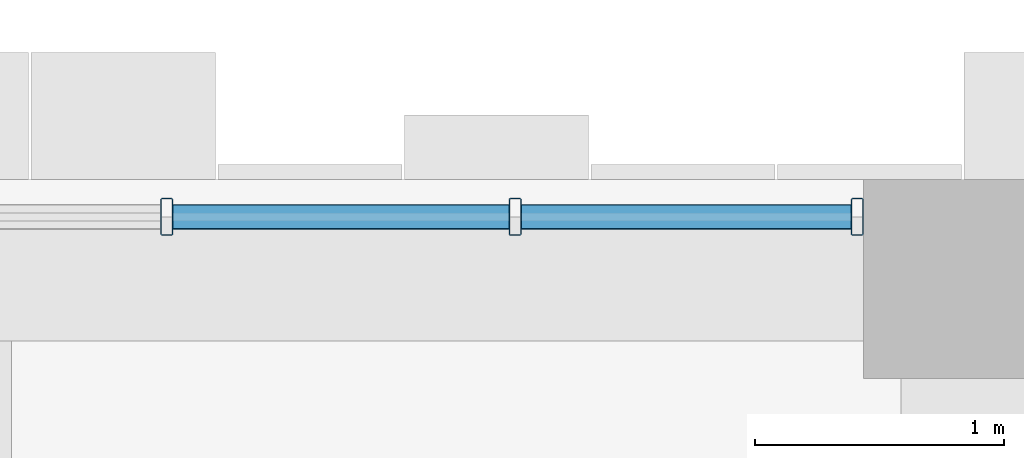
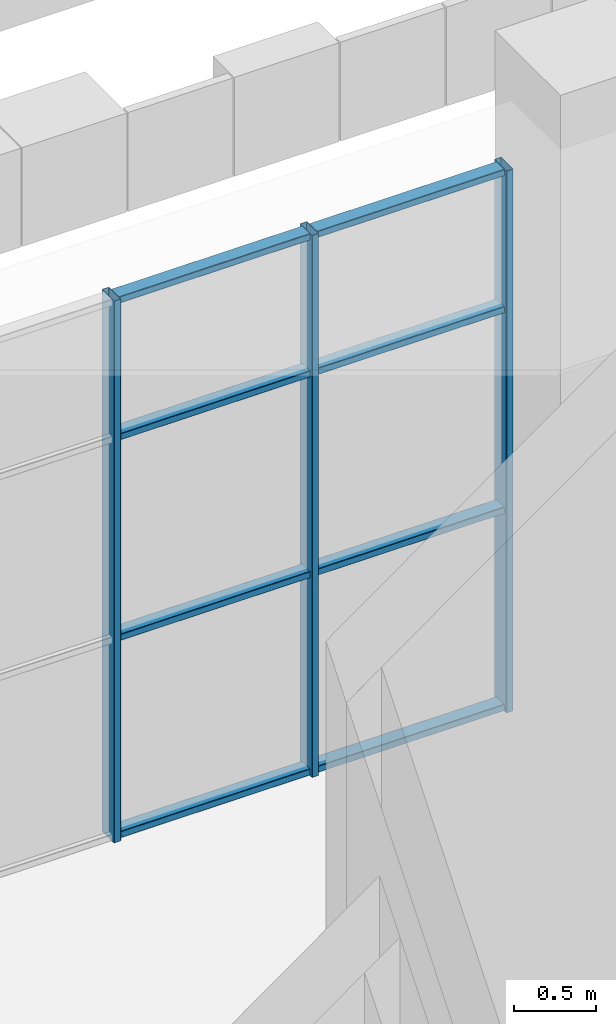
# One storey, part 5 of 125: 11 members, 1 element without a shape of its own.
"""IFC4 building model written with IfcOpenShell, lengths in metres."""

import ifcopenshell
import ifcopenshell.guid

model = None  # the IFC model being written
_history = None  # IfcOwnerHistory: only IFC2X3 demands one
_inside = {}  # id of a spatial element -> (the spatial element, [elements in it])
_under = {}  # id of a project, library or spatial element -> (it, [spatial elements below it])
_declared = {}  # id of a project -> (the project, [libraries it declares])
_typed = {}  # id of a type object -> (the type object, [elements of that type])
_made_of = {}  # id of a material, layer set ... -> (it, [elements and type objects made of it])


def new_model(schema):
    """Start an empty IFC model of exactly this schema.

    Asked for "IFC4X3", IfcOpenShell would pick the latest addendum, in which some entities
    have other attributes; the version numbers below select the first issue.
    IFC2X3 requires an IfcOwnerHistory on every rooted entity: one is made here for all.
    """
    global model, _history
    if schema == "IFC4X3":
        model = ifcopenshell.file(schema_version=(4, 3, 0, 0))
    else:
        model = ifcopenshell.file(schema=schema)
    _inside.clear()
    _under.clear()
    _declared.clear()
    _typed.clear()
    _made_of.clear()
    _history = None
    if model.schema == "IFC2X3":
        org = make("IfcOrganization", Name="unknown")
        user = make(
            "IfcPersonAndOrganization",
            ThePerson=make("IfcPerson", FamilyName="unknown"),
            TheOrganization=org,
        )
        app = make(
            "IfcApplication",
            ApplicationDeveloper=org,
            Version="unknown",
            ApplicationFullName="unknown",
            ApplicationIdentifier="unknown",
        )
        _history = make(
            "IfcOwnerHistory",
            OwningUser=user,
            OwningApplication=app,
            ChangeAction="ADDED",
            CreationDate=0,
        )
    return model


def make(cls, **values):
    """One entity of the class cls with the attributes given. An attribute that is None is left unset."""
    return model.create_entity(
        cls, **{name: value for name, value in values.items() if value is not None}
    )


def rooted(cls, **values):
    """An entity with a GlobalId (a new one), such as an element, a storey or a relation."""
    return make(cls, GlobalId=ifcopenshell.guid.new(), OwnerHistory=_history, **values)


def si_unit(unit_type, name, prefix=None):
    """IfcSIUnit, for example si_unit("LENGTHUNIT", "METRE", prefix="MILLI")."""
    return make("IfcSIUnit", UnitType=unit_type, Prefix=prefix, Name=name)


def assignment(units):
    """IfcUnitAssignment: the units of a project."""
    return None if units is None else make("IfcUnitAssignment", Units=units)


def point(xyz):
    """IfcCartesianPoint."""
    return None if xyz is None else make("IfcCartesianPoint", Coordinates=xyz)


def direction(xyz):
    """IfcDirection."""
    return None if xyz is None else make("IfcDirection", DirectionRatios=xyz)


def frame(location, z_axis=None, x_axis=None):
    """IfcAxis2Placement3D, a coordinate frame: its origin and axes. An axis left out is left unset."""
    return make(
        "IfcAxis2Placement3D",
        Location=point(location),
        Axis=direction(z_axis),
        RefDirection=direction(x_axis),
    )


def frame_2d(location, x_axis=None):
    """IfcAxis2Placement2D, a coordinate frame in the plane: its origin and x axis."""
    return make(
        "IfcAxis2Placement2D", Location=point(location), RefDirection=direction(x_axis)
    )


def origin():
    """The frame at (0, 0, 0) with its axes left unset."""
    return frame((0.0, 0.0, 0.0))


def origin_2d():
    """The frame at (0, 0) in the plane with its x axis left unset."""
    return frame_2d((0.0, 0.0))


def place(relative_to, where):
    """IfcLocalPlacement: puts the frame where relative to a parent placement (None: the world)."""
    return make(
        "IfcLocalPlacement", PlacementRelTo=relative_to, RelativePlacement=where
    )


def context(
    kind, dimensions, precision=None, world=None, true_north=None, identifier=None
):
    """IfcGeometricRepresentationContext, for example the 3D "Model" context."""
    return make(
        "IfcGeometricRepresentationContext",
        ContextIdentifier=identifier,
        ContextType=kind,
        CoordinateSpaceDimension=dimensions,
        Precision=precision,
        WorldCoordinateSystem=world,
        TrueNorth=true_north,
    )


def subcontext(parent, identifier, kind, view, scale=None):
    """IfcGeometricRepresentationSubContext, for example "Body" below "Model"."""
    return make(
        "IfcGeometricRepresentationSubContext",
        ContextIdentifier=identifier,
        ContextType=kind,
        ParentContext=parent,
        TargetScale=scale,
        TargetView=view,
    )


def project(units=None, contexts=None):
    """IfcProject with its units and contexts."""
    return rooted(
        "IfcProject",
        Name="project",
        RepresentationContexts=contexts,
        UnitsInContext=assignment(units),
    )


def spatial(cls, under=None, at=None, **own):
    """A site, building, storey or space (cls), placed at a placement, below another one or the project."""
    s = rooted(cls, ObjectPlacement=at, **own)
    if under is not None:
        _under.setdefault(under.id(), (under, []))[1].append(s)
    return s


def profile(cls, at=None, kind="AREA", **sizes):
    """A parametric profile (cls). Its sizes go by their IFC names, for example OverallWidth=200.0."""
    return make(cls, ProfileType=kind, Position=at, **sizes)


def hollow_rectangle(**sizes):
    """IfcRectangleHollowProfileDef."""
    return profile("IfcRectangleHollowProfileDef", **sizes)


def extrude(swept, where, along, depth):
    """IfcExtrudedAreaSolid: the profile swept, set in the frame where, extruded along a direction by depth."""
    return make(
        "IfcExtrudedAreaSolid",
        SweptArea=swept,
        Position=where,
        ExtrudedDirection=direction(along),
        Depth=depth,
    )


def shape(context_of_items, identifier, shape_type, items):
    """IfcShapeRepresentation: the items that make up one representation, for example the "Body"."""
    return make(
        "IfcShapeRepresentation",
        ContextOfItems=context_of_items,
        RepresentationIdentifier=identifier,
        RepresentationType=shape_type,
        Items=items,
    )


def material(Name=None, Category=None):
    """IfcMaterial."""
    return make("IfcMaterial", Name=Name, Category=Category)


def material_profile(
    of_material, cross_section, Name=None, Category=None, Priority=None
):
    """IfcMaterialProfile: a cross section and its material."""
    return make(
        "IfcMaterialProfile",
        Name=Name,
        Material=of_material,
        Profile=cross_section,
        Priority=Priority,
        Category=Category,
    )


def profile_set(profiles, Name=None, composite=None):
    """IfcMaterialProfileSet."""
    return make(
        "IfcMaterialProfileSet",
        Name=Name,
        MaterialProfiles=profiles,
        CompositeProfile=composite,
    )


def made_of(thing, what):
    """Note that an element or type object is made of a material, layer set ...; save() writes the relation."""
    if what is not None:
        _made_of.setdefault(what.id(), (what, []))[1].append(thing)
    return thing


def type_object(cls, material=None, **own):
    """A type object (cls), such as IfcWallType, which elements share."""
    return made_of(rooted(cls, **own), material)


def element(
    cls,
    number,
    at=None,
    inside=None,
    cuts=None,
    type_object=None,
    material=None,
    context=None,
    identifier="Body",
    shape_type=None,
    held_by="IfcProductDefinitionShape",
    body=None,
    shapes=None,
    **own,
):
    """One element of the class cls, such as IfcWall. Its Tag is "e" and its number.

    at: its placement. inside: the storey or other place that contains it. cuts: it is an
    opening in that element (IfcRelVoidsElement). A single representation is given by context,
    identifier, shape_type and body (its items); several are given by shapes. held_by: the class
    of the entity that holds the representations. save() writes the other relations.
    """
    e = rooted(cls, Tag="e%d" % number, ObjectPlacement=at, **own)
    if body is not None:
        shapes = [shape(context, identifier, shape_type, body)]
    if shapes is not None:
        e.Representation = make(held_by, Representations=shapes)
    if inside is not None:
        _inside.setdefault(inside.id(), (inside, []))[1].append(e)
    if cuts is not None:
        rooted(
            "IfcRelVoidsElement", RelatingBuildingElement=cuts, RelatedOpeningElement=e
        )
    if type_object is not None:
        _typed.setdefault(type_object.id(), (type_object, []))[1].append(e)
    return made_of(e, material)


def aggregate(whole, parts):
    """IfcRelAggregates: a whole, such as a stair, and the parts it consists of."""
    return rooted("IfcRelAggregates", RelatingObject=whole, RelatedObjects=parts)


def save(model, path):
    """Write the relations noted so far, then the file.

    IfcRelAggregates (storeys below a building ...), IfcRelContainedInSpatialStructure (elements
    in a storey), IfcRelDefinesByType, IfcRelAssociatesMaterial and IfcRelDeclares: one each for
    every whole, place, type object, material and project.
    """
    for whole, parts in _under.values():
        aggregate(whole, parts)
    for where, things in _inside.values():
        rooted(
            "IfcRelContainedInSpatialStructure",
            RelatedElements=things,
            RelatingStructure=where,
        )
    for kind, things in _typed.values():
        rooted("IfcRelDefinesByType", RelatedObjects=things, RelatingType=kind)
    for what, things in _made_of.values():
        rooted("IfcRelAssociatesMaterial", RelatedObjects=things, RelatingMaterial=what)
    for by, libraries in _declared.values():
        rooted("IfcRelDeclares", RelatingContext=by, RelatedDefinitions=libraries)
    model.write(path)


model = new_model("IFC4")

# Units and contexts
model_context = context("Model", 3, precision=1e-05, world=origin(), true_north=direction((0.0, 1.0)))
body_context = subcontext(model_context, "Body", "Model", "MODEL_VIEW")
ifc_project = project(units=[si_unit("LENGTHUNIT", "METRE"), si_unit("AREAUNIT", "SQUARE_METRE"), si_unit("VOLUMEUNIT", "CUBIC_METRE"), si_unit("PLANEANGLEUNIT", "RADIAN"), si_unit("MASSUNIT", "GRAM", prefix="KILO")], contexts=[model_context])

# Site, building, storey
site_placement = place(None, origin())
site = spatial("IfcSite", under=ifc_project, at=site_placement, CompositionType="ELEMENT")
building_placement = place(site_placement, origin())
building = spatial("IfcBuilding", under=site, at=building_placement, Name="Sun Court Science Centre", CompositionType="ELEMENT")
storey_placement = place(building_placement, frame((0.0, 0.0, 6.0)))
storey = spatial("IfcBuildingStorey", under=building, at=storey_placement, Name="L01", CompositionType="ELEMENT", Elevation=6.0)

# Curtain wall, members
ifc_material_1 = material(Name="Aluminium EN AW-6063 T6", Category="aluminium")
curtain_wall_type = type_object("IfcCurtainWallType", Name="Court gallery curtain wall 1500", PredefinedType="NOTDEFINED", material=ifc_material_1)
curtain_wall_placement = place(storey_placement, origin())
curtain_wall = element("IfcCurtainWall", 1, at=curtain_wall_placement, inside=storey, type_object=curtain_wall_type, Name="Curtain wall V2 N L01 01", PredefinedType="NOTDEFINED")
ifc_material_2 = material(Name="Aluminium EN AW-6063 T6", Category="aluminium")
ifc_material_profile_1 = material_profile(ifc_material_2, hollow_rectangle(XDim=0.050048828125, YDim=0.14990234375, WallThickness=0.00390625, InnerFilletRadius=0.00390625, OuterFilletRadius=0.006103515625, at=origin_2d()), Name="AL 50x150x4")
ifc_profile_set_1 = profile_set([ifc_material_profile_1], Name="Aluminium EN AW-6063 T6")
member_type_1 = type_object("IfcMemberType", Name="Curtain wall mullion AL 50x150", PredefinedType="MULLION", material=ifc_profile_set_1)
member_1_placement = place(storey_placement, frame((32.800048828125, 27.85009765625, 0.0), z_axis=(0.0, 0.0, 1.0), x_axis=(1.0, 0.0, 0.0)))
member_1 = element("IfcMember", 2, at=member_1_placement, type_object=member_type_1, Name="CW5-03 mullion 3", PredefinedType="MULLION", context=body_context, shape_type="SweptSolid", body=[
    extrude(hollow_rectangle(XDim=0.050048828125, YDim=0.14990234375, WallThickness=0.00390625, InnerFilletRadius=0.00390625, OuterFilletRadius=0.006103515625, at=origin_2d()), origin(), (0.0, 0.0, 1.0), 4.050048828125),
])
member_2_placement = place(storey_placement, frame((34.199951171875, 27.85009765625, 0.0), z_axis=(0.0, 0.0, 1.0), x_axis=(1.0, 0.0, 0.0)))
member_2 = element("IfcMember", 3, at=member_2_placement, type_object=member_type_1, Name="CW5-03 mullion 4", PredefinedType="MULLION", context=body_context, shape_type="SweptSolid", body=[
    extrude(hollow_rectangle(XDim=0.050048828125, YDim=0.14990234375, WallThickness=0.00390625, InnerFilletRadius=0.00390625, OuterFilletRadius=0.006103515625, at=origin_2d()), origin(), (0.0, 0.0, 1.0), 4.050048828125),
])
member_3_placement = place(storey_placement, frame((35.574951171875, 27.85009765625, 0.0), z_axis=(0.0, 0.0, 1.0), x_axis=(1.0, 0.0, 0.0)))
member_3 = element("IfcMember", 4, at=member_3_placement, type_object=member_type_1, Name="CW5-03 mullion 5", PredefinedType="MULLION", context=body_context, shape_type="SweptSolid", body=[
    extrude(hollow_rectangle(XDim=0.050048828125, YDim=0.14990234375, WallThickness=0.00390625, InnerFilletRadius=0.00390625, OuterFilletRadius=0.006103515625, at=origin_2d()), origin(), (0.0, 0.0, 1.0), 4.050048828125),
])
ifc_material_3 = material(Name="Aluminium EN AW-6063 T6", Category="aluminium")
ifc_material_profile_2 = material_profile(ifc_material_3, hollow_rectangle(XDim=0.050048828125, YDim=0.10009765625, WallThickness=0.00390625, InnerFilletRadius=0.00390625, OuterFilletRadius=0.006103515625, at=origin_2d()), Name="AL 50x100x4")
ifc_profile_set_2 = profile_set([ifc_material_profile_2], Name="Aluminium EN AW-6063 T6")
member_type_2 = type_object("IfcMemberType", Name="Curtain wall transom AL 50x100", PredefinedType="USERDEFINED", material=ifc_profile_set_2)
member_4_placement = place(storey_placement, frame((32.824951171875, 27.85009765625, 0.02490234375), z_axis=(1.0, 0.0, 0.0), x_axis=(0.0, 0.0, 1.0)))
member_4 = element("IfcMember", 5, at=member_4_placement, type_object=member_type_2, Name="CW5-03 transom 3.1", ObjectType="TRANSOM", PredefinedType="USERDEFINED", context=body_context, shape_type="SweptSolid", body=[
    extrude(hollow_rectangle(XDim=0.050048828125, YDim=0.10009765625, WallThickness=0.00390625, InnerFilletRadius=0.00390625, OuterFilletRadius=0.006103515625, at=origin_2d()), origin(), (0.0, 0.0, 1.0), 1.35009765625),
])
member_5_placement = place(storey_placement, frame((34.22509765625, 27.85009765625, 0.02490234375), z_axis=(1.0, 0.0, 0.0), x_axis=(0.0, 0.0, 1.0)))
member_5 = element("IfcMember", 6, at=member_5_placement, type_object=member_type_2, Name="CW5-03 transom 4.1", ObjectType="TRANSOM", PredefinedType="USERDEFINED", context=body_context, shape_type="SweptSolid", body=[
    extrude(hollow_rectangle(XDim=0.050048828125, YDim=0.10009765625, WallThickness=0.00390625, InnerFilletRadius=0.00390625, OuterFilletRadius=0.006103515625, at=origin_2d()), origin(), (0.0, 0.0, 1.0), 1.324951171875),
])
member_6_placement = place(storey_placement, frame((32.824951171875, 27.85009765625, 1.5), z_axis=(1.0, 0.0, 0.0), x_axis=(0.0, 0.0, 1.0)))
member_6 = element("IfcMember", 7, at=member_6_placement, type_object=member_type_2, Name="CW5-03 transom 3.2", ObjectType="TRANSOM", PredefinedType="USERDEFINED", context=body_context, shape_type="SweptSolid", body=[
    extrude(hollow_rectangle(XDim=0.050048828125, YDim=0.10009765625, WallThickness=0.00390625, InnerFilletRadius=0.00390625, OuterFilletRadius=0.006103515625, at=origin_2d()), origin(), (0.0, 0.0, 1.0), 1.35009765625),
])
member_7_placement = place(storey_placement, frame((34.22509765625, 27.85009765625, 1.5), z_axis=(1.0, 0.0, 0.0), x_axis=(0.0, 0.0, 1.0)))
member_7 = element("IfcMember", 8, at=member_7_placement, type_object=member_type_2, Name="CW5-03 transom 4.2", ObjectType="TRANSOM", PredefinedType="USERDEFINED", context=body_context, shape_type="SweptSolid", body=[
    extrude(hollow_rectangle(XDim=0.050048828125, YDim=0.10009765625, WallThickness=0.00390625, InnerFilletRadius=0.00390625, OuterFilletRadius=0.006103515625, at=origin_2d()), origin(), (0.0, 0.0, 1.0), 1.324951171875),
])
member_8_placement = place(storey_placement, frame((32.824951171875, 27.85009765625, 3.0), z_axis=(1.0, 0.0, 0.0), x_axis=(0.0, 0.0, 1.0)))
member_8 = element("IfcMember", 9, at=member_8_placement, type_object=member_type_2, Name="CW5-03 transom 3.3", ObjectType="TRANSOM", PredefinedType="USERDEFINED", context=body_context, shape_type="SweptSolid", body=[
    extrude(hollow_rectangle(XDim=0.050048828125, YDim=0.10009765625, WallThickness=0.00390625, InnerFilletRadius=0.00390625, OuterFilletRadius=0.006103515625, at=origin_2d()), origin(), (0.0, 0.0, 1.0), 1.35009765625),
])
member_9_placement = place(storey_placement, frame((34.22509765625, 27.85009765625, 3.0), z_axis=(1.0, 0.0, 0.0), x_axis=(0.0, 0.0, 1.0)))
member_9 = element("IfcMember", 10, at=member_9_placement, type_object=member_type_2, Name="CW5-03 transom 4.3", ObjectType="TRANSOM", PredefinedType="USERDEFINED", context=body_context, shape_type="SweptSolid", body=[
    extrude(hollow_rectangle(XDim=0.050048828125, YDim=0.10009765625, WallThickness=0.00390625, InnerFilletRadius=0.00390625, OuterFilletRadius=0.006103515625, at=origin_2d()), origin(), (0.0, 0.0, 1.0), 1.324951171875),
])
member_10_placement = place(storey_placement, frame((32.824951171875, 27.85009765625, 4.02490234375), z_axis=(1.0, 0.0, 0.0), x_axis=(0.0, 0.0, 1.0)))
member_10 = element("IfcMember", 11, at=member_10_placement, type_object=member_type_2, Name="CW5-03 transom 3.4", ObjectType="TRANSOM", PredefinedType="USERDEFINED", context=body_context, shape_type="SweptSolid", body=[
    extrude(hollow_rectangle(XDim=0.050048828125, YDim=0.10009765625, WallThickness=0.00390625, InnerFilletRadius=0.00390625, OuterFilletRadius=0.006103515625, at=origin_2d()), origin(), (0.0, 0.0, 1.0), 1.35009765625),
])
member_11_placement = place(storey_placement, frame((34.22509765625, 27.85009765625, 4.02490234375), z_axis=(1.0, 0.0, 0.0), x_axis=(0.0, 0.0, 1.0)))
member_11 = element("IfcMember", 12, at=member_11_placement, type_object=member_type_2, Name="CW5-03 transom 4.4", ObjectType="TRANSOM", PredefinedType="USERDEFINED", context=body_context, shape_type="SweptSolid", body=[
    extrude(hollow_rectangle(XDim=0.050048828125, YDim=0.10009765625, WallThickness=0.00390625, InnerFilletRadius=0.00390625, OuterFilletRadius=0.006103515625, at=origin_2d()), origin(), (0.0, 0.0, 1.0), 1.324951171875),
])
aggregate(curtain_wall, [member_1, member_2, member_3, member_4, member_5, member_6, member_7, member_8, member_9, member_10, member_11])

save(model, "model.ifc")
